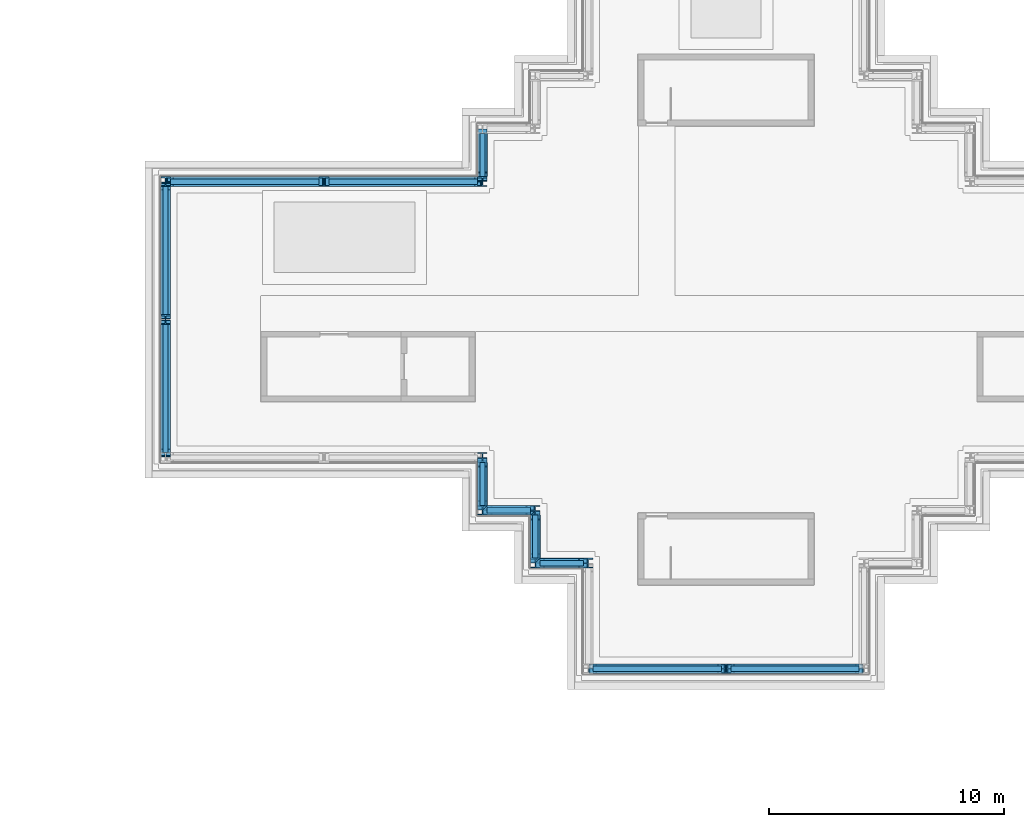
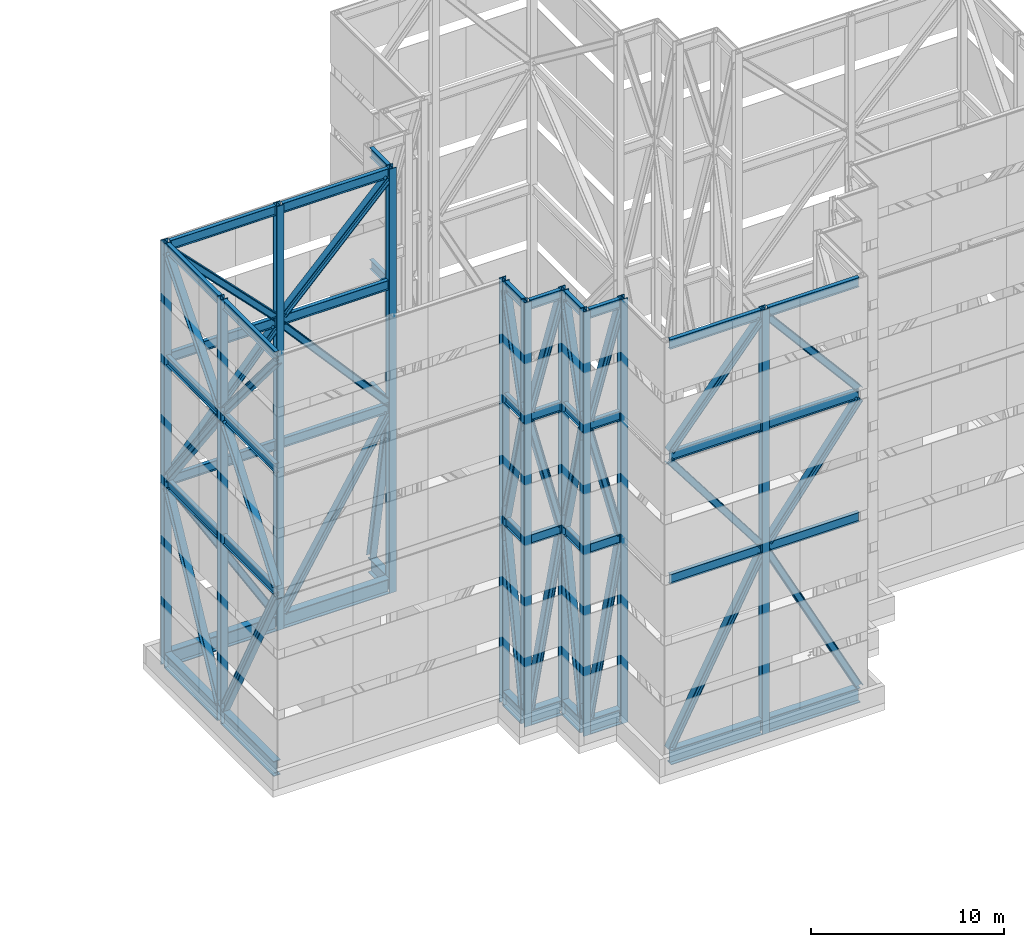
# One storey, part 5 of 19: 85 members.
"""IFC4 building model written with IfcOpenShell, lengths in metres."""

from ifc_helpers import new_model, si_unit, direction, frame, origin, origin_2d, place, context, subcontext, project, spatial, i_section, extrude, material, material_profile, profile_set, type_object, element, save


model = new_model("IFC4")

# Units and contexts
model_context = context("Model", 3, precision=1e-05, world=origin(), true_north=direction((0.0, 1.0)))
body_context = subcontext(model_context, "Body", "Model", "MODEL_VIEW")
ifc_project = project(units=[si_unit("LENGTHUNIT", "METRE"), si_unit("AREAUNIT", "SQUARE_METRE"), si_unit("VOLUMEUNIT", "CUBIC_METRE"), si_unit("PLANEANGLEUNIT", "RADIAN"), si_unit("MASSUNIT", "GRAM", prefix="KILO")], contexts=[model_context])

# Site, building, storey
site_placement = place(None, origin())
site = spatial("IfcSite", under=ifc_project, at=site_placement, CompositionType="ELEMENT")
building_placement = place(site_placement, origin())
building = spatial("IfcBuilding", under=site, at=building_placement, Name="Shamsa Quay Exchange Towers", CompositionType="ELEMENT")
storey_placement = place(building_placement, frame((0.0, 0.0, 284.300048828125)))
storey = spatial("IfcBuildingStorey", under=building, at=storey_placement, Name="Roof", CompositionType="ELEMENT", Elevation=284.300048828125)

# Members
ifc_material = material(Name="Steel S355", Category="steel")
ifc_material_profile_1 = material_profile(ifc_material, i_section(OverallWidth=0.423095703125, OverallDepth=0.947265625, WebThickness=0.02392578125, FlangeThickness=0.042724609375, at=origin_2d()), Name="W36x302")
ifc_profile_set_1 = profile_set([ifc_material_profile_1], Name="Steel S355")
member_type_1 = type_object("IfcMemberType", Name="Crown frame base ring girder W36x302", PredefinedType="USERDEFINED", material=ifc_profile_set_1)
for number, where, z_axis, x_axis, name in (
    (1, (28.078125, -14.875, 0.4736328125), (1.0, 0.0, 0.0), (0.0, 1.0, 0.0), "Crown frame base ring girder T2"),
    (2, (33.953125, -14.875, 0.4736328125), (1.0, 0.0, 0.0), (0.0, 1.0, 0.0), "Crown frame base ring girder T2"),
):
    element("IfcMember", number, at=place(storey_placement, frame(where, z_axis=z_axis, x_axis=x_axis)), inside=storey, type_object=member_type_1, Name=name, ObjectType="CROWN FRAME", PredefinedType="USERDEFINED", context=body_context, shape_type="SweptSolid", body=[
        extrude(i_section(OverallWidth=0.423095703125, OverallDepth=0.947265625, WebThickness=0.02392578125, FlangeThickness=0.042724609375, at=origin_2d()), origin(), (0.0, 0.0, 1.0), 5.46875),
    ])
member_1_placement = place(storey_placement, frame((23.375, 7.9169921875, 0.4736328125), z_axis=(0.0, -1.0, 0.0), x_axis=(1.0, 0.0, 0.0)))
element("IfcMember", 3, at=member_1_placement, inside=storey, type_object=member_type_1, Name="Crown frame base ring girder T2", ObjectType="CROWN FRAME", PredefinedType="USERDEFINED", context=body_context, shape_type="SweptSolid", body=[
    extrude(i_section(OverallWidth=0.423095703125, OverallDepth=0.947265625, WebThickness=0.02392578125, FlangeThickness=0.042724609375, at=origin_2d()), origin(), (0.0, 0.0, 1.0), 1.833984375),
])
for number, where, z_axis, x_axis, name in (
    (4, (23.171875, 5.875, 0.4736328125), (-1.0, 0.0, 0.0), (0.0, -1.0, 0.0), "Crown frame base ring girder T2"),
    (5, (16.421875, 5.875, 0.4736328125), (-1.0, 0.0, 0.0), (0.0, -1.0, 0.0), "Crown frame base ring girder T2"),
):
    element("IfcMember", number, at=place(storey_placement, frame(where, z_axis=z_axis, x_axis=x_axis)), inside=storey, type_object=member_type_1, Name=name, ObjectType="CROWN FRAME", PredefinedType="USERDEFINED", context=body_context, shape_type="SweptSolid", body=[
        extrude(i_section(OverallWidth=0.423095703125, OverallDepth=0.947265625, WebThickness=0.02392578125, FlangeThickness=0.042724609375, at=origin_2d()), origin(), (0.0, 0.0, 1.0), 6.34375),
    ])
for number, where, z_axis, x_axis, name in (
    (6, (9.875, 5.6669921875, 0.4736328125), (0.0, -1.0, 0.0), (1.0, 0.0, 0.0), "Crown frame base ring girder T2"),
    (7, (9.875, -0.2080078125, 0.4736328125), (0.0, -1.0, 0.0), (1.0, 0.0, 0.0), "Crown frame base ring girder T2"),
):
    element("IfcMember", number, at=place(storey_placement, frame(where, z_axis=z_axis, x_axis=x_axis)), inside=storey, type_object=member_type_1, Name=name, ObjectType="CROWN FRAME", PredefinedType="USERDEFINED", context=body_context, shape_type="SweptSolid", body=[
        extrude(i_section(OverallWidth=0.423095703125, OverallDepth=0.947265625, WebThickness=0.02392578125, FlangeThickness=0.042724609375, at=origin_2d()), origin(), (0.0, 0.0, 1.0), 5.458984375),
    ])
member_2_placement = place(storey_placement, frame((23.375, -6.0830078125, 0.4736328125), z_axis=(0.0, -1.0, 0.0), x_axis=(1.0, 0.0, 0.0)))
element("IfcMember", 8, at=member_2_placement, inside=storey, type_object=member_type_1, Name="Crown frame base ring girder T2", ObjectType="CROWN FRAME", PredefinedType="USERDEFINED", context=body_context, shape_type="SweptSolid", body=[
    extrude(i_section(OverallWidth=0.423095703125, OverallDepth=0.947265625, WebThickness=0.02392578125, FlangeThickness=0.042724609375, at=origin_2d()), origin(), (0.0, 0.0, 1.0), 1.833984375),
])
member_3_placement = place(storey_placement, frame((23.578125, -8.125, 0.4736328125), z_axis=(1.0, 0.0, 0.0), x_axis=(0.0, 1.0, 0.0)))
element("IfcMember", 9, at=member_3_placement, inside=storey, type_object=member_type_1, Name="Crown frame base ring girder T2", ObjectType="CROWN FRAME", PredefinedType="USERDEFINED", context=body_context, shape_type="SweptSolid", body=[
    extrude(i_section(OverallWidth=0.423095703125, OverallDepth=0.947265625, WebThickness=0.02392578125, FlangeThickness=0.042724609375, at=origin_2d()), origin(), (0.0, 0.0, 1.0), 1.84375),
])
member_4_placement = place(storey_placement, frame((25.625, -8.3330078125, 0.4736328125), z_axis=(0.0, -1.0, 0.0), x_axis=(1.0, 0.0, 0.0)))
element("IfcMember", 10, at=member_4_placement, inside=storey, type_object=member_type_1, Name="Crown frame base ring girder T2", ObjectType="CROWN FRAME", PredefinedType="USERDEFINED", context=body_context, shape_type="SweptSolid", body=[
    extrude(i_section(OverallWidth=0.423095703125, OverallDepth=0.947265625, WebThickness=0.02392578125, FlangeThickness=0.042724609375, at=origin_2d()), origin(), (0.0, 0.0, 1.0), 1.833984375),
])
member_5_placement = place(storey_placement, frame((25.828125, -10.375, 0.4736328125), z_axis=(1.0, 0.0, 0.0), x_axis=(0.0, 1.0, 0.0)))
element("IfcMember", 11, at=member_5_placement, inside=storey, type_object=member_type_1, Name="Crown frame base ring girder T2", ObjectType="CROWN FRAME", PredefinedType="USERDEFINED", context=body_context, shape_type="SweptSolid", body=[
    extrude(i_section(OverallWidth=0.423095703125, OverallDepth=0.947265625, WebThickness=0.02392578125, FlangeThickness=0.042724609375, at=origin_2d()), origin(), (0.0, 0.0, 1.0), 1.84375),
])
ifc_material_profile_2 = material_profile(ifc_material, i_section(OverallWidth=0.403564453125, OverallDepth=0.407470703125, WebThickness=0.027099609375, FlangeThickness=0.043701171875, at=origin_2d()), Name="W14x233")
ifc_profile_set_2 = profile_set([ifc_material_profile_2], Name="Steel S355")
member_type_2 = type_object("IfcMemberType", Name="Crown frame brace W14x233", PredefinedType="USERDEFINED", material=ifc_profile_set_2)
member_6_placement = place(storey_placement, frame((28.078125, -14.875, 0.947265625), z_axis=(0.46379112615, 0.0, 0.885944575752), x_axis=(0.0, 1.0, 0.0)))
element("IfcMember", 12, at=member_6_placement, inside=storey, type_object=member_type_2, Name="Crown frame brace T2", ObjectType="CROWN FRAME", PredefinedType="USERDEFINED", context=body_context, shape_type="SweptSolid", body=[
    extrude(i_section(OverallWidth=0.403564453125, OverallDepth=0.407470703125, WebThickness=0.027099609375, FlangeThickness=0.043701171875, at=origin_2d()), origin(), (0.0, 0.0, 1.0), 11.79150390625),
])
member_7_placement = place(storey_placement, frame((28.078125, -14.875, 19.19384765625), z_axis=(0.605508806079, 0.0, -0.795838605347), x_axis=(0.0, 1.0, 0.0)))
element("IfcMember", 13, at=member_7_placement, inside=storey, type_object=member_type_2, Name="Crown frame brace T2", ObjectType="CROWN FRAME", PredefinedType="USERDEFINED", context=body_context, shape_type="SweptSolid", body=[
    extrude(i_section(OverallWidth=0.403564453125, OverallDepth=0.407470703125, WebThickness=0.027099609375, FlangeThickness=0.043701171875, at=origin_2d()), origin(), (0.0, 0.0, 1.0), 9.03173828125),
])
member_8_placement = place(storey_placement, frame((28.078125, -14.875, 19.805908203125), z_axis=(0.644844663681, 0.0, 0.764313652712), x_axis=(0.0, 1.0, 0.0)))
element("IfcMember", 14, at=member_8_placement, inside=storey, type_object=member_type_2, Name="Crown frame brace T2", ObjectType="CROWN FRAME", PredefinedType="USERDEFINED", context=body_context, shape_type="SweptSolid", body=[
    extrude(i_section(OverallWidth=0.403564453125, OverallDepth=0.407470703125, WebThickness=0.027099609375, FlangeThickness=0.043701171875, at=origin_2d()), origin(), (0.0, 0.0, 1.0), 8.480712890625),
])
member_9_placement = place(storey_placement, frame((33.953125, -14.875, 11.393798828125), z_axis=(0.46379112615, 0.0, -0.885944575752), x_axis=(0.0, 1.0, 0.0)))
element("IfcMember", 15, at=member_9_placement, inside=storey, type_object=member_type_2, Name="Crown frame brace T2", ObjectType="CROWN FRAME", PredefinedType="USERDEFINED", context=body_context, shape_type="SweptSolid", body=[
    extrude(i_section(OverallWidth=0.403564453125, OverallDepth=0.407470703125, WebThickness=0.027099609375, FlangeThickness=0.043701171875, at=origin_2d()), origin(), (0.0, 0.0, 1.0), 11.79150390625),
])
member_10_placement = place(storey_placement, frame((33.953125, -14.875, 12.006103515625), z_axis=(0.605508806079, 0.0, 0.795838605347), x_axis=(0.0, 1.0, 0.0)))
element("IfcMember", 16, at=member_10_placement, inside=storey, type_object=member_type_2, Name="Crown frame brace T2", ObjectType="CROWN FRAME", PredefinedType="USERDEFINED", context=body_context, shape_type="SweptSolid", body=[
    extrude(i_section(OverallWidth=0.403564453125, OverallDepth=0.407470703125, WebThickness=0.027099609375, FlangeThickness=0.043701171875, at=origin_2d()), origin(), (0.0, 0.0, 1.0), 9.03173828125),
])
member_11_placement = place(storey_placement, frame((33.953125, -14.875, 26.287841796875), z_axis=(0.644844663681, 0.0, -0.764313652712), x_axis=(0.0, 1.0, 0.0)))
element("IfcMember", 17, at=member_11_placement, inside=storey, type_object=member_type_2, Name="Crown frame brace T2", ObjectType="CROWN FRAME", PredefinedType="USERDEFINED", context=body_context, shape_type="SweptSolid", body=[
    extrude(i_section(OverallWidth=0.403564453125, OverallDepth=0.407470703125, WebThickness=0.027099609375, FlangeThickness=0.043701171875, at=origin_2d()), origin(), (0.0, 0.0, 1.0), 8.480712890625),
])
member_12_placement = place(storey_placement, frame((23.375, 7.9169921875, 0.947265625), z_axis=(0.0, -0.17291465847, 0.984936810606), x_axis=(1.0, 0.0, 0.0)))
element("IfcMember", 18, at=member_12_placement, inside=storey, type_object=member_type_2, Name="Crown frame brace T2", ObjectType="CROWN FRAME", PredefinedType="USERDEFINED", context=body_context, shape_type="SweptSolid", body=[
    extrude(i_section(OverallWidth=0.403564453125, OverallDepth=0.407470703125, WebThickness=0.027099609375, FlangeThickness=0.043701171875, at=origin_2d()), origin(), (0.0, 0.0, 1.0), 10.606201171875),
])
member_13_placement = place(storey_placement, frame((23.171875, 5.875, 11.393798828125), z_axis=(-0.519050588784, 0.0, -0.854743520761), x_axis=(0.0, -1.0, 0.0)))
element("IfcMember", 19, at=member_13_placement, inside=storey, type_object=member_type_2, Name="Crown frame brace T2", ObjectType="CROWN FRAME", PredefinedType="USERDEFINED", context=body_context, shape_type="SweptSolid", body=[
    extrude(i_section(OverallWidth=0.403564453125, OverallDepth=0.407470703125, WebThickness=0.027099609375, FlangeThickness=0.043701171875, at=origin_2d()), origin(), (0.0, 0.0, 1.0), 12.221923828125),
])
member_14_placement = place(storey_placement, frame((23.171875, 5.875, 12.006103515625), z_axis=(-0.661716808405, 0.0, 0.74975386993), x_axis=(0.0, -1.0, 0.0)))
element("IfcMember", 20, at=member_14_placement, inside=storey, type_object=member_type_2, Name="Crown frame brace T2", ObjectType="CROWN FRAME", PredefinedType="USERDEFINED", context=body_context, shape_type="SweptSolid", body=[
    extrude(i_section(OverallWidth=0.403564453125, OverallDepth=0.407470703125, WebThickness=0.027099609375, FlangeThickness=0.043701171875, at=origin_2d()), origin(), (0.0, 0.0, 1.0), 9.5869140625),
])
member_15_placement = place(storey_placement, frame((23.171875, 5.875, 26.287841796875), z_axis=(-0.699447836177, 0.0, -0.714683653421), x_axis=(0.0, -1.0, 0.0)))
element("IfcMember", 21, at=member_15_placement, inside=storey, type_object=member_type_2, Name="Crown frame brace T2", ObjectType="CROWN FRAME", PredefinedType="USERDEFINED", context=body_context, shape_type="SweptSolid", body=[
    extrude(i_section(OverallWidth=0.403564453125, OverallDepth=0.407470703125, WebThickness=0.027099609375, FlangeThickness=0.043701171875, at=origin_2d()), origin(), (0.0, 0.0, 1.0), 9.069580078125),
])
member_16_placement = place(storey_placement, frame((16.421875, 5.875, 0.947265625), z_axis=(-0.519050588784, 0.0, 0.854743520761), x_axis=(0.0, -1.0, 0.0)))
element("IfcMember", 22, at=member_16_placement, inside=storey, type_object=member_type_2, Name="Crown frame brace T2", ObjectType="CROWN FRAME", PredefinedType="USERDEFINED", context=body_context, shape_type="SweptSolid", body=[
    extrude(i_section(OverallWidth=0.403564453125, OverallDepth=0.407470703125, WebThickness=0.027099609375, FlangeThickness=0.043701171875, at=origin_2d()), origin(), (0.0, 0.0, 1.0), 12.221923828125),
])
member_17_placement = place(storey_placement, frame((16.421875, 5.875, 19.19384765625), z_axis=(-0.661716808405, 0.0, -0.74975386993), x_axis=(0.0, -1.0, 0.0)))
element("IfcMember", 23, at=member_17_placement, inside=storey, type_object=member_type_2, Name="Crown frame brace T2", ObjectType="CROWN FRAME", PredefinedType="USERDEFINED", context=body_context, shape_type="SweptSolid", body=[
    extrude(i_section(OverallWidth=0.403564453125, OverallDepth=0.407470703125, WebThickness=0.027099609375, FlangeThickness=0.043701171875, at=origin_2d()), origin(), (0.0, 0.0, 1.0), 9.5869140625),
])
member_18_placement = place(storey_placement, frame((16.421875, 5.875, 19.805908203125), z_axis=(-0.699447836177, 0.0, 0.714683653421), x_axis=(0.0, -1.0, 0.0)))
element("IfcMember", 24, at=member_18_placement, inside=storey, type_object=member_type_2, Name="Crown frame brace T2", ObjectType="CROWN FRAME", PredefinedType="USERDEFINED", context=body_context, shape_type="SweptSolid", body=[
    extrude(i_section(OverallWidth=0.403564453125, OverallDepth=0.407470703125, WebThickness=0.027099609375, FlangeThickness=0.043701171875, at=origin_2d()), origin(), (0.0, 0.0, 1.0), 9.069580078125),
])
member_19_placement = place(storey_placement, frame((9.875, 5.6669921875, 11.393798828125), z_axis=(0.0, -0.46314070047, -0.886284768891), x_axis=(1.0, 0.0, 0.0)))
element("IfcMember", 25, at=member_19_placement, inside=storey, type_object=member_type_2, Name="Crown frame brace T2", ObjectType="CROWN FRAME", PredefinedType="USERDEFINED", context=body_context, shape_type="SweptSolid", body=[
    extrude(i_section(OverallWidth=0.403564453125, OverallDepth=0.407470703125, WebThickness=0.027099609375, FlangeThickness=0.043701171875, at=origin_2d()), origin(), (0.0, 0.0, 1.0), 11.786865234375),
])
member_20_placement = place(storey_placement, frame((9.875, 5.6669921875, 12.006103515625), z_axis=(0.0, -0.604823303721, 0.796359699681), x_axis=(1.0, 0.0, 0.0)))
element("IfcMember", 26, at=member_20_placement, inside=storey, type_object=member_type_2, Name="Crown frame brace T2", ObjectType="CROWN FRAME", PredefinedType="USERDEFINED", context=body_context, shape_type="SweptSolid", body=[
    extrude(i_section(OverallWidth=0.403564453125, OverallDepth=0.407470703125, WebThickness=0.027099609375, FlangeThickness=0.043701171875, at=origin_2d()), origin(), (0.0, 0.0, 1.0), 9.025634765625),
])
member_21_placement = place(storey_placement, frame((9.875, 5.6669921875, 26.287841796875), z_axis=(0.0, -0.644171231164, -0.764881314284), x_axis=(1.0, 0.0, 0.0)))
element("IfcMember", 27, at=member_21_placement, inside=storey, type_object=member_type_2, Name="Crown frame brace T2", ObjectType="CROWN FRAME", PredefinedType="USERDEFINED", context=body_context, shape_type="SweptSolid", body=[
    extrude(i_section(OverallWidth=0.403564453125, OverallDepth=0.407470703125, WebThickness=0.027099609375, FlangeThickness=0.043701171875, at=origin_2d()), origin(), (0.0, 0.0, 1.0), 8.474365234375),
])
member_22_placement = place(storey_placement, frame((9.875, -0.2080078125, 0.947265625), z_axis=(0.0, -0.46314070047, 0.886284768891), x_axis=(1.0, 0.0, 0.0)))
element("IfcMember", 28, at=member_22_placement, inside=storey, type_object=member_type_2, Name="Crown frame brace T2", ObjectType="CROWN FRAME", PredefinedType="USERDEFINED", context=body_context, shape_type="SweptSolid", body=[
    extrude(i_section(OverallWidth=0.403564453125, OverallDepth=0.407470703125, WebThickness=0.027099609375, FlangeThickness=0.043701171875, at=origin_2d()), origin(), (0.0, 0.0, 1.0), 11.786865234375),
])
member_23_placement = place(storey_placement, frame((9.875, -0.2080078125, 19.19384765625), z_axis=(0.0, -0.604823303721, -0.796359699681), x_axis=(1.0, 0.0, 0.0)))
element("IfcMember", 29, at=member_23_placement, inside=storey, type_object=member_type_2, Name="Crown frame brace T2", ObjectType="CROWN FRAME", PredefinedType="USERDEFINED", context=body_context, shape_type="SweptSolid", body=[
    extrude(i_section(OverallWidth=0.403564453125, OverallDepth=0.407470703125, WebThickness=0.027099609375, FlangeThickness=0.043701171875, at=origin_2d()), origin(), (0.0, 0.0, 1.0), 9.025634765625),
])
member_24_placement = place(storey_placement, frame((9.875, -0.2080078125, 19.805908203125), z_axis=(0.0, -0.644171231164, 0.764881314284), x_axis=(1.0, 0.0, 0.0)))
element("IfcMember", 30, at=member_24_placement, inside=storey, type_object=member_type_2, Name="Crown frame brace T2", ObjectType="CROWN FRAME", PredefinedType="USERDEFINED", context=body_context, shape_type="SweptSolid", body=[
    extrude(i_section(OverallWidth=0.403564453125, OverallDepth=0.407470703125, WebThickness=0.027099609375, FlangeThickness=0.043701171875, at=origin_2d()), origin(), (0.0, 0.0, 1.0), 8.474365234375),
])
member_25_placement = place(storey_placement, frame((23.375, -6.0830078125, 11.393798828125), z_axis=(0.0, -0.17291465847, -0.984936810606), x_axis=(1.0, 0.0, 0.0)))
element("IfcMember", 31, at=member_25_placement, inside=storey, type_object=member_type_2, Name="Crown frame brace T2", ObjectType="CROWN FRAME", PredefinedType="USERDEFINED", context=body_context, shape_type="SweptSolid", body=[
    extrude(i_section(OverallWidth=0.403564453125, OverallDepth=0.407470703125, WebThickness=0.027099609375, FlangeThickness=0.043701171875, at=origin_2d()), origin(), (0.0, 0.0, 1.0), 10.606201171875),
])
member_26_placement = place(storey_placement, frame((23.375, -6.0830078125, 12.006103515625), z_axis=(0.0, -0.247233355894, 0.968955967902), x_axis=(1.0, 0.0, 0.0)))
element("IfcMember", 32, at=member_26_placement, inside=storey, type_object=member_type_2, Name="Crown frame brace T2", ObjectType="CROWN FRAME", PredefinedType="USERDEFINED", context=body_context, shape_type="SweptSolid", body=[
    extrude(i_section(OverallWidth=0.403564453125, OverallDepth=0.407470703125, WebThickness=0.027099609375, FlangeThickness=0.043701171875, at=origin_2d()), origin(), (0.0, 0.0, 1.0), 7.41796875),
])
member_27_placement = place(storey_placement, frame((23.375, -6.0830078125, 26.287841796875), z_axis=(0.0, -0.272250291508, -0.962226469587), x_axis=(1.0, 0.0, 0.0)))
element("IfcMember", 33, at=member_27_placement, inside=storey, type_object=member_type_2, Name="Crown frame brace T2", ObjectType="CROWN FRAME", PredefinedType="USERDEFINED", context=body_context, shape_type="SweptSolid", body=[
    extrude(i_section(OverallWidth=0.403564453125, OverallDepth=0.407470703125, WebThickness=0.027099609375, FlangeThickness=0.043701171875, at=origin_2d()), origin(), (0.0, 0.0, 1.0), 6.736328125),
])
member_28_placement = place(storey_placement, frame((23.578125, -8.125, 0.947265625), z_axis=(0.173807653572, 0.0, 0.984779619793), x_axis=(0.0, 1.0, 0.0)))
element("IfcMember", 34, at=member_28_placement, inside=storey, type_object=member_type_2, Name="Crown frame brace T2", ObjectType="CROWN FRAME", PredefinedType="USERDEFINED", context=body_context, shape_type="SweptSolid", body=[
    extrude(i_section(OverallWidth=0.403564453125, OverallDepth=0.407470703125, WebThickness=0.027099609375, FlangeThickness=0.043701171875, at=origin_2d()), origin(), (0.0, 0.0, 1.0), 10.60791015625),
])
member_29_placement = place(storey_placement, frame((23.578125, -8.125, 19.19384765625), z_axis=(0.248468754818, 0.0, -0.96863991136), x_axis=(0.0, 1.0, 0.0)))
element("IfcMember", 35, at=member_29_placement, inside=storey, type_object=member_type_2, Name="Crown frame brace T2", ObjectType="CROWN FRAME", PredefinedType="USERDEFINED", context=body_context, shape_type="SweptSolid", body=[
    extrude(i_section(OverallWidth=0.403564453125, OverallDepth=0.407470703125, WebThickness=0.027099609375, FlangeThickness=0.043701171875, at=origin_2d()), origin(), (0.0, 0.0, 1.0), 7.42041015625),
])
member_30_placement = place(storey_placement, frame((23.578125, -8.125, 19.805908203125), z_axis=(0.27359172731, 0.0, 0.961845916323), x_axis=(0.0, 1.0, 0.0)))
element("IfcMember", 36, at=member_30_placement, inside=storey, type_object=member_type_2, Name="Crown frame brace T2", ObjectType="CROWN FRAME", PredefinedType="USERDEFINED", context=body_context, shape_type="SweptSolid", body=[
    extrude(i_section(OverallWidth=0.403564453125, OverallDepth=0.407470703125, WebThickness=0.027099609375, FlangeThickness=0.043701171875, at=origin_2d()), origin(), (0.0, 0.0, 1.0), 6.739013671875),
])
member_31_placement = place(storey_placement, frame((25.625, -8.3330078125, 11.393798828125), z_axis=(0.0, -0.17291465847, -0.984936810606), x_axis=(1.0, 0.0, 0.0)))
element("IfcMember", 37, at=member_31_placement, inside=storey, type_object=member_type_2, Name="Crown frame brace T2", ObjectType="CROWN FRAME", PredefinedType="USERDEFINED", context=body_context, shape_type="SweptSolid", body=[
    extrude(i_section(OverallWidth=0.403564453125, OverallDepth=0.407470703125, WebThickness=0.027099609375, FlangeThickness=0.043701171875, at=origin_2d()), origin(), (0.0, 0.0, 1.0), 10.606201171875),
])
member_32_placement = place(storey_placement, frame((25.625, -8.3330078125, 12.006103515625), z_axis=(0.0, -0.247233355894, 0.968955967902), x_axis=(1.0, 0.0, 0.0)))
element("IfcMember", 38, at=member_32_placement, inside=storey, type_object=member_type_2, Name="Crown frame brace T2", ObjectType="CROWN FRAME", PredefinedType="USERDEFINED", context=body_context, shape_type="SweptSolid", body=[
    extrude(i_section(OverallWidth=0.403564453125, OverallDepth=0.407470703125, WebThickness=0.027099609375, FlangeThickness=0.043701171875, at=origin_2d()), origin(), (0.0, 0.0, 1.0), 7.41796875),
])
member_33_placement = place(storey_placement, frame((25.625, -8.3330078125, 26.287841796875), z_axis=(0.0, -0.272250291508, -0.962226469587), x_axis=(1.0, 0.0, 0.0)))
element("IfcMember", 39, at=member_33_placement, inside=storey, type_object=member_type_2, Name="Crown frame brace T2", ObjectType="CROWN FRAME", PredefinedType="USERDEFINED", context=body_context, shape_type="SweptSolid", body=[
    extrude(i_section(OverallWidth=0.403564453125, OverallDepth=0.407470703125, WebThickness=0.027099609375, FlangeThickness=0.043701171875, at=origin_2d()), origin(), (0.0, 0.0, 1.0), 6.736328125),
])
member_34_placement = place(storey_placement, frame((25.828125, -10.375, 0.947265625), z_axis=(0.173807653572, 0.0, 0.984779619793), x_axis=(0.0, 1.0, 0.0)))
element("IfcMember", 40, at=member_34_placement, inside=storey, type_object=member_type_2, Name="Crown frame brace T2", ObjectType="CROWN FRAME", PredefinedType="USERDEFINED", context=body_context, shape_type="SweptSolid", body=[
    extrude(i_section(OverallWidth=0.403564453125, OverallDepth=0.407470703125, WebThickness=0.027099609375, FlangeThickness=0.043701171875, at=origin_2d()), origin(), (0.0, 0.0, 1.0), 10.60791015625),
])
member_35_placement = place(storey_placement, frame((25.828125, -10.375, 19.19384765625), z_axis=(0.248468754818, 0.0, -0.96863991136), x_axis=(0.0, 1.0, 0.0)))
element("IfcMember", 41, at=member_35_placement, inside=storey, type_object=member_type_2, Name="Crown frame brace T2", ObjectType="CROWN FRAME", PredefinedType="USERDEFINED", context=body_context, shape_type="SweptSolid", body=[
    extrude(i_section(OverallWidth=0.403564453125, OverallDepth=0.407470703125, WebThickness=0.027099609375, FlangeThickness=0.043701171875, at=origin_2d()), origin(), (0.0, 0.0, 1.0), 7.42041015625),
])
member_36_placement = place(storey_placement, frame((25.828125, -10.375, 19.805908203125), z_axis=(0.27359172731, 0.0, 0.961845916323), x_axis=(0.0, 1.0, 0.0)))
element("IfcMember", 42, at=member_36_placement, inside=storey, type_object=member_type_2, Name="Crown frame brace T2", ObjectType="CROWN FRAME", PredefinedType="USERDEFINED", context=body_context, shape_type="SweptSolid", body=[
    extrude(i_section(OverallWidth=0.403564453125, OverallDepth=0.407470703125, WebThickness=0.027099609375, FlangeThickness=0.043701171875, at=origin_2d()), origin(), (0.0, 0.0, 1.0), 6.739013671875),
])
ifc_material_profile_3 = material_profile(ifc_material, i_section(OverallWidth=0.40625, OverallDepth=0.416015625, WebThickness=0.02978515625, FlangeThickness=0.048095703125, at=origin_2d()), Name="W14x257")
ifc_profile_set_3 = profile_set([ifc_material_profile_3], Name="Steel S355")
member_type_3 = type_object("IfcMemberType", Name="Crown frame post W14x257", PredefinedType="USERDEFINED", material=ifc_profile_set_3)
for number, where, name in (
    (43, (33.75, -14.875, 0.0), "Crown frame post T2"),
    (44, (23.375, 5.875, 0.0), "Crown frame post T2"),
    (45, (16.625, 5.875, 0.0), "Crown frame post T2"),
    (46, (9.875, 5.875, 0.0), "Crown frame post T2"),
    (47, (9.875, 0.0, 0.0), "Crown frame post T2"),
    (48, (23.375, -5.875, 0.0), "Crown frame post T2"),
    (49, (23.375, -8.125, 0.0), "Crown frame post T2"),
    (50, (25.625, -8.125, 0.0), "Crown frame post T2"),
    (51, (25.625, -10.375, 0.0), "Crown frame post T2"),
    (52, (27.875, -10.375, 0.0), "Crown frame post T2"),
):
    element("IfcMember", number, at=place(storey_placement, frame(where)), inside=storey, type_object=member_type_3, Name=name, ObjectType="CROWN FRAME", PredefinedType="USERDEFINED", context=body_context, shape_type="SweptSolid", body=[
        extrude(i_section(OverallWidth=0.40625, OverallDepth=0.416015625, WebThickness=0.02978515625, FlangeThickness=0.048095703125, at=origin_2d()), origin(), (0.0, 0.0, 1.0), 26.89990234375),
    ])
ifc_material_profile_4 = material_profile(ifc_material, i_section(OverallWidth=0.22900390625, OverallDepth=0.612060546875, WebThickness=0.011962890625, FlangeThickness=0.01953125, at=origin_2d()), Name="W24x84")
ifc_profile_set_4 = profile_set([ifc_material_profile_4], Name="Steel S355")
member_type_4 = type_object("IfcMemberType", Name="Crown frame ring beam W24x84", PredefinedType="USERDEFINED", material=ifc_profile_set_4)
for number, where, z_axis, x_axis, name in (
    (53, (28.078125, -14.875, 11.699951171875), (1.0, 0.0, 0.0), (0.0, 1.0, 0.0), "Crown frame ring beam T2"),
    (54, (28.078125, -14.875, 19.5), (1.0, 0.0, 0.0), (0.0, 1.0, 0.0), "Crown frame ring beam T2"),
    (55, (28.078125, -14.875, 26.593994140625), (1.0, 0.0, 0.0), (0.0, 1.0, 0.0), "Crown frame ring beam T2"),
    (56, (33.953125, -14.875, 11.699951171875), (1.0, 0.0, 0.0), (0.0, 1.0, 0.0), "Crown frame ring beam T2"),
    (57, (33.953125, -14.875, 19.5), (1.0, 0.0, 0.0), (0.0, 1.0, 0.0), "Crown frame ring beam T2"),
    (58, (33.953125, -14.875, 26.593994140625), (1.0, 0.0, 0.0), (0.0, 1.0, 0.0), "Crown frame ring beam T2"),
):
    element("IfcMember", number, at=place(storey_placement, frame(where, z_axis=z_axis, x_axis=x_axis)), inside=storey, type_object=member_type_4, Name=name, ObjectType="CROWN FRAME", PredefinedType="USERDEFINED", context=body_context, shape_type="SweptSolid", body=[
        extrude(i_section(OverallWidth=0.22900390625, OverallDepth=0.612060546875, WebThickness=0.011962890625, FlangeThickness=0.01953125, at=origin_2d()), origin(), (0.0, 0.0, 1.0), 5.46875),
    ])
for number, where, z_axis, x_axis, name in (
    (59, (23.375, 7.9169921875, 11.699951171875), (0.0, -1.0, 0.0), (1.0, 0.0, 0.0), "Crown frame ring beam T2"),
    (60, (23.375, 7.9169921875, 19.5), (0.0, -1.0, 0.0), (1.0, 0.0, 0.0), "Crown frame ring beam T2"),
    (61, (23.375, 7.9169921875, 26.593994140625), (0.0, -1.0, 0.0), (1.0, 0.0, 0.0), "Crown frame ring beam T2"),
):
    element("IfcMember", number, at=place(storey_placement, frame(where, z_axis=z_axis, x_axis=x_axis)), inside=storey, type_object=member_type_4, Name=name, ObjectType="CROWN FRAME", PredefinedType="USERDEFINED", context=body_context, shape_type="SweptSolid", body=[
        extrude(i_section(OverallWidth=0.22900390625, OverallDepth=0.612060546875, WebThickness=0.011962890625, FlangeThickness=0.01953125, at=origin_2d()), origin(), (0.0, 0.0, 1.0), 1.833984375),
    ])
for number, where, z_axis, x_axis, name in (
    (62, (23.171875, 5.875, 11.699951171875), (-1.0, 0.0, 0.0), (0.0, -1.0, 0.0), "Crown frame ring beam T2"),
    (63, (23.171875, 5.875, 19.5), (-1.0, 0.0, 0.0), (0.0, -1.0, 0.0), "Crown frame ring beam T2"),
    (64, (23.171875, 5.875, 26.593994140625), (-1.0, 0.0, 0.0), (0.0, -1.0, 0.0), "Crown frame ring beam T2"),
    (65, (16.421875, 5.875, 11.699951171875), (-1.0, 0.0, 0.0), (0.0, -1.0, 0.0), "Crown frame ring beam T2"),
    (66, (16.421875, 5.875, 19.5), (-1.0, 0.0, 0.0), (0.0, -1.0, 0.0), "Crown frame ring beam T2"),
    (67, (16.421875, 5.875, 26.593994140625), (-1.0, 0.0, 0.0), (0.0, -1.0, 0.0), "Crown frame ring beam T2"),
):
    element("IfcMember", number, at=place(storey_placement, frame(where, z_axis=z_axis, x_axis=x_axis)), inside=storey, type_object=member_type_4, Name=name, ObjectType="CROWN FRAME", PredefinedType="USERDEFINED", context=body_context, shape_type="SweptSolid", body=[
        extrude(i_section(OverallWidth=0.22900390625, OverallDepth=0.612060546875, WebThickness=0.011962890625, FlangeThickness=0.01953125, at=origin_2d()), origin(), (0.0, 0.0, 1.0), 6.34375),
    ])
for number, where, z_axis, x_axis, name in (
    (68, (9.875, 5.6669921875, 11.699951171875), (0.0, -1.0, 0.0), (1.0, 0.0, 0.0), "Crown frame ring beam T2"),
    (69, (9.875, 5.6669921875, 19.5), (0.0, -1.0, 0.0), (1.0, 0.0, 0.0), "Crown frame ring beam T2"),
    (70, (9.875, 5.6669921875, 26.593994140625), (0.0, -1.0, 0.0), (1.0, 0.0, 0.0), "Crown frame ring beam T2"),
    (71, (9.875, -0.2080078125, 11.699951171875), (0.0, -1.0, 0.0), (1.0, 0.0, 0.0), "Crown frame ring beam T2"),
    (72, (9.875, -0.2080078125, 19.5), (0.0, -1.0, 0.0), (1.0, 0.0, 0.0), "Crown frame ring beam T2"),
    (73, (9.875, -0.2080078125, 26.593994140625), (0.0, -1.0, 0.0), (1.0, 0.0, 0.0), "Crown frame ring beam T2"),
):
    element("IfcMember", number, at=place(storey_placement, frame(where, z_axis=z_axis, x_axis=x_axis)), inside=storey, type_object=member_type_4, Name=name, ObjectType="CROWN FRAME", PredefinedType="USERDEFINED", context=body_context, shape_type="SweptSolid", body=[
        extrude(i_section(OverallWidth=0.22900390625, OverallDepth=0.612060546875, WebThickness=0.011962890625, FlangeThickness=0.01953125, at=origin_2d()), origin(), (0.0, 0.0, 1.0), 5.458984375),
    ])
for number, where, z_axis, x_axis, name in (
    (74, (23.375, -6.0830078125, 11.699951171875), (0.0, -1.0, 0.0), (1.0, 0.0, 0.0), "Crown frame ring beam T2"),
    (75, (23.375, -6.0830078125, 19.5), (0.0, -1.0, 0.0), (1.0, 0.0, 0.0), "Crown frame ring beam T2"),
    (76, (23.375, -6.0830078125, 26.593994140625), (0.0, -1.0, 0.0), (1.0, 0.0, 0.0), "Crown frame ring beam T2"),
):
    element("IfcMember", number, at=place(storey_placement, frame(where, z_axis=z_axis, x_axis=x_axis)), inside=storey, type_object=member_type_4, Name=name, ObjectType="CROWN FRAME", PredefinedType="USERDEFINED", context=body_context, shape_type="SweptSolid", body=[
        extrude(i_section(OverallWidth=0.22900390625, OverallDepth=0.612060546875, WebThickness=0.011962890625, FlangeThickness=0.01953125, at=origin_2d()), origin(), (0.0, 0.0, 1.0), 1.833984375),
    ])
for number, where, z_axis, x_axis, name in (
    (77, (23.578125, -8.125, 11.699951171875), (1.0, 0.0, 0.0), (0.0, 1.0, 0.0), "Crown frame ring beam T2"),
    (78, (23.578125, -8.125, 19.5), (1.0, 0.0, 0.0), (0.0, 1.0, 0.0), "Crown frame ring beam T2"),
    (79, (23.578125, -8.125, 26.593994140625), (1.0, 0.0, 0.0), (0.0, 1.0, 0.0), "Crown frame ring beam T2"),
):
    element("IfcMember", number, at=place(storey_placement, frame(where, z_axis=z_axis, x_axis=x_axis)), inside=storey, type_object=member_type_4, Name=name, ObjectType="CROWN FRAME", PredefinedType="USERDEFINED", context=body_context, shape_type="SweptSolid", body=[
        extrude(i_section(OverallWidth=0.22900390625, OverallDepth=0.612060546875, WebThickness=0.011962890625, FlangeThickness=0.01953125, at=origin_2d()), origin(), (0.0, 0.0, 1.0), 1.84375),
    ])
for number, where, z_axis, x_axis, name in (
    (80, (25.625, -8.3330078125, 11.699951171875), (0.0, -1.0, 0.0), (1.0, 0.0, 0.0), "Crown frame ring beam T2"),
    (81, (25.625, -8.3330078125, 19.5), (0.0, -1.0, 0.0), (1.0, 0.0, 0.0), "Crown frame ring beam T2"),
    (82, (25.625, -8.3330078125, 26.593994140625), (0.0, -1.0, 0.0), (1.0, 0.0, 0.0), "Crown frame ring beam T2"),
):
    element("IfcMember", number, at=place(storey_placement, frame(where, z_axis=z_axis, x_axis=x_axis)), inside=storey, type_object=member_type_4, Name=name, ObjectType="CROWN FRAME", PredefinedType="USERDEFINED", context=body_context, shape_type="SweptSolid", body=[
        extrude(i_section(OverallWidth=0.22900390625, OverallDepth=0.612060546875, WebThickness=0.011962890625, FlangeThickness=0.01953125, at=origin_2d()), origin(), (0.0, 0.0, 1.0), 1.833984375),
    ])
for number, where, z_axis, x_axis, name in (
    (83, (25.828125, -10.375, 11.699951171875), (1.0, 0.0, 0.0), (0.0, 1.0, 0.0), "Crown frame ring beam T2"),
    (84, (25.828125, -10.375, 19.5), (1.0, 0.0, 0.0), (0.0, 1.0, 0.0), "Crown frame ring beam T2"),
    (85, (25.828125, -10.375, 26.593994140625), (1.0, 0.0, 0.0), (0.0, 1.0, 0.0), "Crown frame ring beam T2"),
):
    element("IfcMember", number, at=place(storey_placement, frame(where, z_axis=z_axis, x_axis=x_axis)), inside=storey, type_object=member_type_4, Name=name, ObjectType="CROWN FRAME", PredefinedType="USERDEFINED", context=body_context, shape_type="SweptSolid", body=[
        extrude(i_section(OverallWidth=0.22900390625, OverallDepth=0.612060546875, WebThickness=0.011962890625, FlangeThickness=0.01953125, at=origin_2d()), origin(), (0.0, 0.0, 1.0), 1.84375),
    ])

save(model, "model.ifc")
